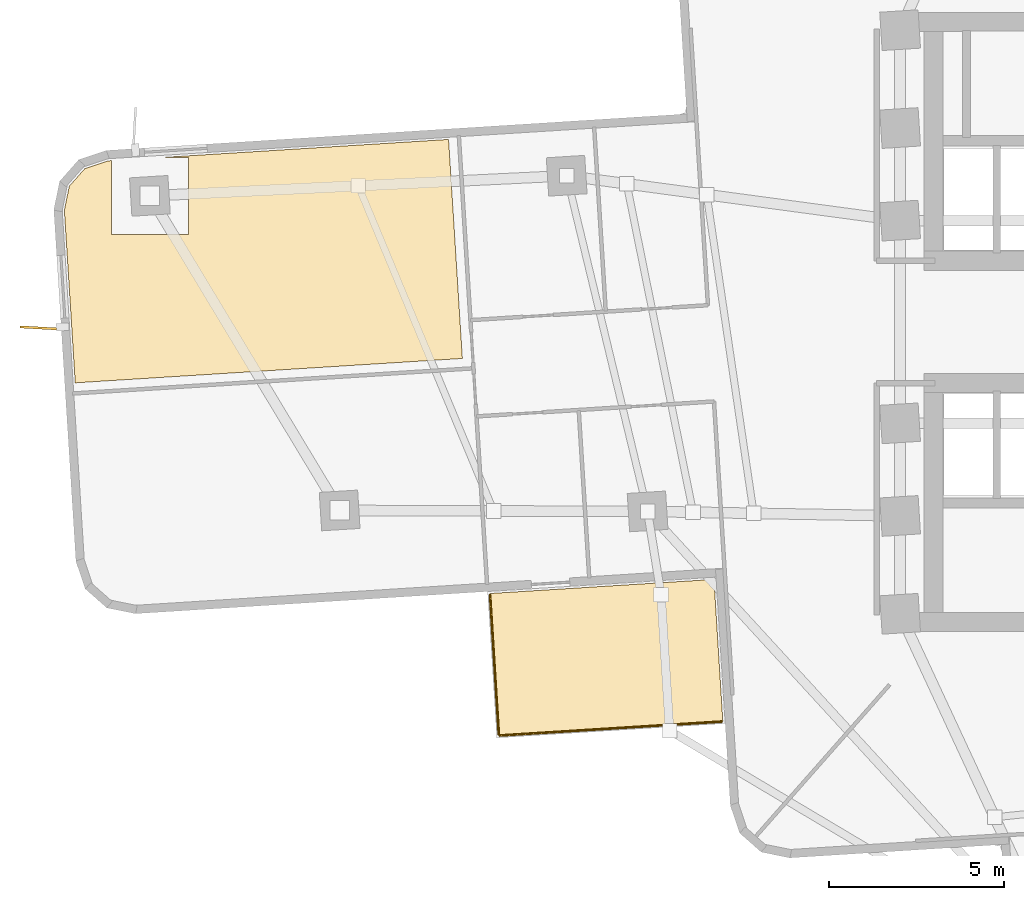
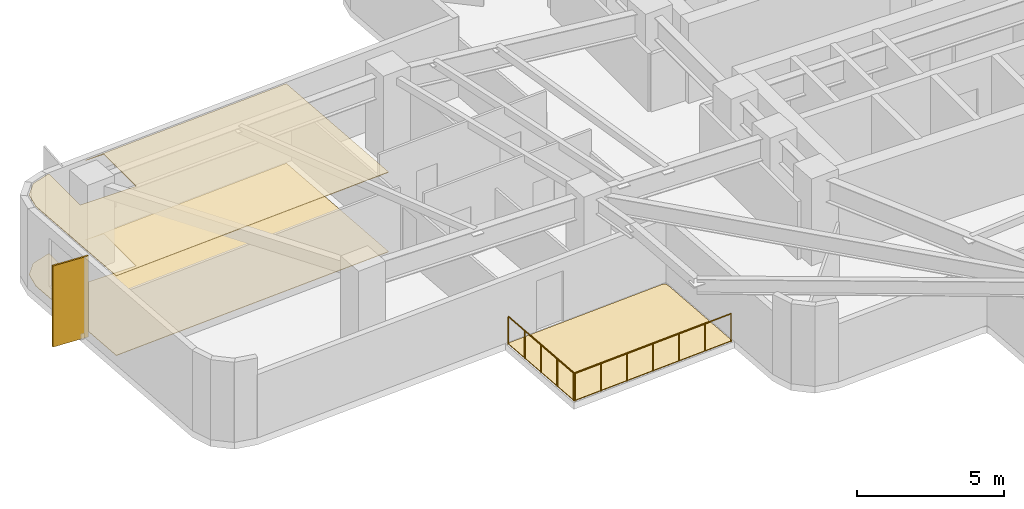
# One storey, part 8 of 11: 3 coverings, 2 railings, 1 shading device.
"""IFC4 building model written with IfcOpenShell, lengths in metres."""

from ifc_helpers import new_model, si_unit, direction, frame, origin, origin_2d, place, context, subcontext, project, spatial, polyline, rectangle, circle, outline, extrude, material, layer, layer_set, type_object, element, save


model = new_model("IFC4")

# Units and contexts
model_context = context("Model", 3, precision=1e-05, world=origin(), true_north=direction((0.0, 1.0)))
body_context = subcontext(model_context, "Body", "Model", "MODEL_VIEW")
ifc_project = project(units=[si_unit("LENGTHUNIT", "METRE"), si_unit("AREAUNIT", "SQUARE_METRE"), si_unit("VOLUMEUNIT", "CUBIC_METRE"), si_unit("PLANEANGLEUNIT", "RADIAN"), si_unit("MASSUNIT", "GRAM", prefix="KILO")], contexts=[model_context])

# Site, building, storey
site_placement = place(None, origin())
site = spatial("IfcSite", under=ifc_project, at=site_placement, CompositionType="ELEMENT")
building_placement = place(site_placement, origin())
building = spatial("IfcBuilding", under=site, at=building_placement, Name="Solmarez Civic Tower", CompositionType="ELEMENT")
storey_placement = place(building_placement, frame((0.0, 0.0, 49.679931640625)))
storey = spatial("IfcBuildingStorey", under=building, at=storey_placement, Name="L12", CompositionType="ELEMENT", Elevation=49.679931640625)

# Coverings
ifc_material_1 = material(Name="Perforated Mineral-Fibre Acoustic Ceiling")
ifc_layer_1 = layer(ifc_material_1, 0.02490234375)
ifc_layer_set_1 = layer_set([ifc_layer_1], Name="Perforated Mineral-Fibre Acoustic Ceiling")
covering_type_1 = type_object("IfcCoveringType", Name="COV-CEIL-ACOUSTIC", PredefinedType="CEILING", material=ifc_layer_set_1)
covering_1_placement = place(storey_placement, frame((0.0, 0.0, 3.295166015625)))
element("IfcCovering", 1, at=covering_1_placement, inside=storey, type_object=covering_type_1, Name="L12 Suspended Acoustic Ceiling 2", PredefinedType="CEILING", context=body_context, shape_type="SweptSolid", body=[
    extrude(outline(polyline([(-21.77099609375, 5.22412109375), (-29.944091796875, 4.708984375), (-29.218017578125, 4.708984375), (-29.218017578125, 2.509033203125), (-31.41796875, 2.509033203125), (-31.41796875, 4.615966796875), (-31.511962890625, 4.610107421875), (-32.18408203125, 4.384033203125), (-32.625, 3.884033203125), (-32.764892578125, 3.18994140625), (-32.4541015625, -1.741943359375), (-21.3759765625, -1.0439453125), (-21.77099609375, 5.22412109375)])), origin(), (0.0, 0.0, 1.0), 0.02490234375),
])
ifc_material_2 = material(Name="Polished Tropical Stone Terrazzo Flooring", Category="masonry")
ifc_layer_2 = layer(ifc_material_2, 0.02001953125)
ifc_layer_set_2 = layer_set([ifc_layer_2], Name="Polished Tropical Stone Terrazzo Flooring")
covering_type_2 = type_object("IfcCoveringType", Name="COV-FLOOR-TERRAZZO", PredefinedType="FLOORING", material=ifc_layer_set_2)
covering_2_placement = place(storey_placement, origin())
element("IfcCovering", 2, at=covering_2_placement, inside=storey, type_object=covering_type_2, Name="L12 Terrazzo Floor Finish 2", PredefinedType="FLOORING", context=body_context, shape_type="SweptSolid", body=[
    extrude(outline(polyline([(-21.77099609375, 5.22412109375), (-29.944091796875, 4.708984375), (-29.218017578125, 4.708984375), (-29.218017578125, 2.509033203125), (-31.41796875, 2.509033203125), (-31.41796875, 4.615966796875), (-31.511962890625, 4.610107421875), (-32.18408203125, 4.384033203125), (-32.625, 3.884033203125), (-32.764892578125, 3.18994140625), (-32.4541015625, -1.741943359375), (-21.3759765625, -1.0439453125), (-21.77099609375, 5.22412109375)])), origin(), (0.0, 0.0, 1.0), 0.02001953125),
])
ifc_material_3 = material(Name="Elastomeric Terrace Waterproofing Membrane")
ifc_layer_3 = layer(ifc_material_3, 0.030029296875)
ifc_layer_set_3 = layer_set([ifc_layer_3], Name="Elastomeric Terrace Waterproofing Membrane")
covering_type_3 = type_object("IfcCoveringType", Name="COV-MEMBRANE-ROOF", PredefinedType="ROOFING", material=ifc_layer_set_3)
covering_3_placement = place(storey_placement, origin())
element("IfcCovering", 3, at=covering_3_placement, inside=storey, type_object=covering_type_3, Name="L12 Balcony Waterproofing SW", PredefinedType="ROOFING", context=body_context, shape_type="SweptSolid", body=[
    extrude(outline(polyline([(-14.1669921875, -7.52392578125), (-14.208984375, -7.402099609375), (-14.333984375, -7.3759765625), (-20.592041015625, -7.77001953125), (-20.3369140625, -11.840087890625), (-13.922119140625, -11.43701171875), (-14.1669921875, -7.52392578125)])), origin(), (0.0, 0.0, 1.0), 0.030029296875),
])

# Shading device
ifc_material_4 = material(Name="Bronze Anodised Aluminium EN AW-6063 T6", Category="aluminium")
ifc_layer_4 = layer(ifc_material_4, 0.06494140625)
ifc_layer_set_4 = layer_set([ifc_layer_4], Name="Bronze Anodised Aluminium EN AW-6063 T6")
shading_device_type = type_object("IfcShadingDeviceType", Name="FIN-BRONZE-Z12", PredefinedType="USERDEFINED", material=ifc_layer_set_4)
shading_device_placement = place(storey_placement, frame((-33.35888671875, -0.177978515625, -0.0400390625), z_axis=(0.0, 0.0, 1.0), x_axis=(-0.998484298341, 0.055037314315, 0.0)))
element("IfcShadingDevice", 4, at=shading_device_placement, inside=storey, type_object=shading_device_type, Name="L12 Anodised Bronze Solar Fin FIN-L12-01", ObjectType="FIN", PredefinedType="USERDEFINED", context=body_context, shape_type="SweptSolid", body=[
    extrude(rectangle(XDim=1.35009765625, YDim=0.06494140625, at=origin_2d()), origin(), (0.0, 0.0, 1.0), 3.360107421875),
])

# Railings
ifc_material_5 = material(Name="Bronze Anodised Aluminium and Laminated Safety Glass Balustrade", Category="aluminium")
railing_type = type_object("IfcRailingType", Name="GUARD-TERR-1180", PredefinedType="BALUSTRADE", material=ifc_material_5)
railing_1_placement = place(storey_placement, frame((-20.590087890625, -7.804931640625, 0.0)))
element("IfcRailing", 5, at=railing_1_placement, inside=storey, type_object=railing_type, Name="L12 Safety Balustrade GRD-BALC-L12-SW-1", PredefinedType="BALUSTRADE", context=body_context, shape_type="SweptSolid", body=[
    extrude(circle(Radius=0.02392578125, at=origin_2d()), frame((0.0, 0.0, 1.15576171875), z_axis=(0.062620997681, -0.998037379385, 0.0), x_axis=(0.998037379385, 0.062620997681, 0.0)), (0.0, 0.0, 1.0), 4.0078125),
    extrude(circle(Radius=0.02099609375, at=origin_2d()), origin(), (0.0, 0.0, 1.0), 1.1318359375),
    extrude(circle(Radius=0.02099609375, at=origin_2d()), frame((0.062744140625, -1.0, 0.0)), (0.0, 0.0, 1.0), 1.1318359375),
    extrude(circle(Radius=0.02099609375, at=origin_2d()), frame((0.12548828125, -2.0, 0.0)), (0.0, 0.0, 1.0), 1.1318359375),
    extrude(circle(Radius=0.02099609375, at=origin_2d()), frame((0.188232421875, -3.0, 0.0)), (0.0, 0.0, 1.0), 1.1318359375),
    extrude(circle(Radius=0.02099609375, at=origin_2d()), frame((0.2509765625, -4.0, 0.0)), (0.0, 0.0, 1.0), 1.1318359375),
])
railing_2_placement = place(storey_placement, frame((-20.302001953125, -11.837890625, 0.0)))
element("IfcRailing", 6, at=railing_2_placement, inside=storey, type_object=railing_type, Name="L12 Safety Balustrade GRD-BALC-L12-SW-2", PredefinedType="BALUSTRADE", context=body_context, shape_type="SweptSolid", body=[
    extrude(circle(Radius=0.02392578125, at=origin_2d()), frame((0.0, 0.0, 1.15576171875), z_axis=(0.998029348953, 0.062748853599, 0.0), x_axis=(-0.062748853599, 0.998029348953, 0.0)), (0.0, 0.0, 1.0), 6.357421875),
    extrude(circle(Radius=0.02099609375, at=origin_2d()), origin(), (0.0, 0.0, 1.0), 1.1318359375),
    extrude(circle(Radius=0.02099609375, at=origin_2d()), frame((1.0576171875, 0.06640625, 0.0)), (0.0, 0.0, 1.0), 1.1318359375),
    extrude(circle(Radius=0.02099609375, at=origin_2d()), frame((2.114990234375, 0.133056640625, 0.0)), (0.0, 0.0, 1.0), 1.1318359375),
    extrude(circle(Radius=0.02099609375, at=origin_2d()), frame((3.17236328125, 0.199462890625, 0.0)), (0.0, 0.0, 1.0), 1.1318359375),
    extrude(circle(Radius=0.02099609375, at=origin_2d()), frame((4.22998046875, 0.265869140625, 0.0)), (0.0, 0.0, 1.0), 1.1318359375),
    extrude(circle(Radius=0.02099609375, at=origin_2d()), frame((5.28759765625, 0.33251953125, 0.0)), (0.0, 0.0, 1.0), 1.1318359375),
    extrude(circle(Radius=0.02099609375, at=origin_2d()), frame((6.344970703125, 0.39892578125, 0.0)), (0.0, 0.0, 1.0), 1.1318359375),
])

save(model, "model.ifc")
